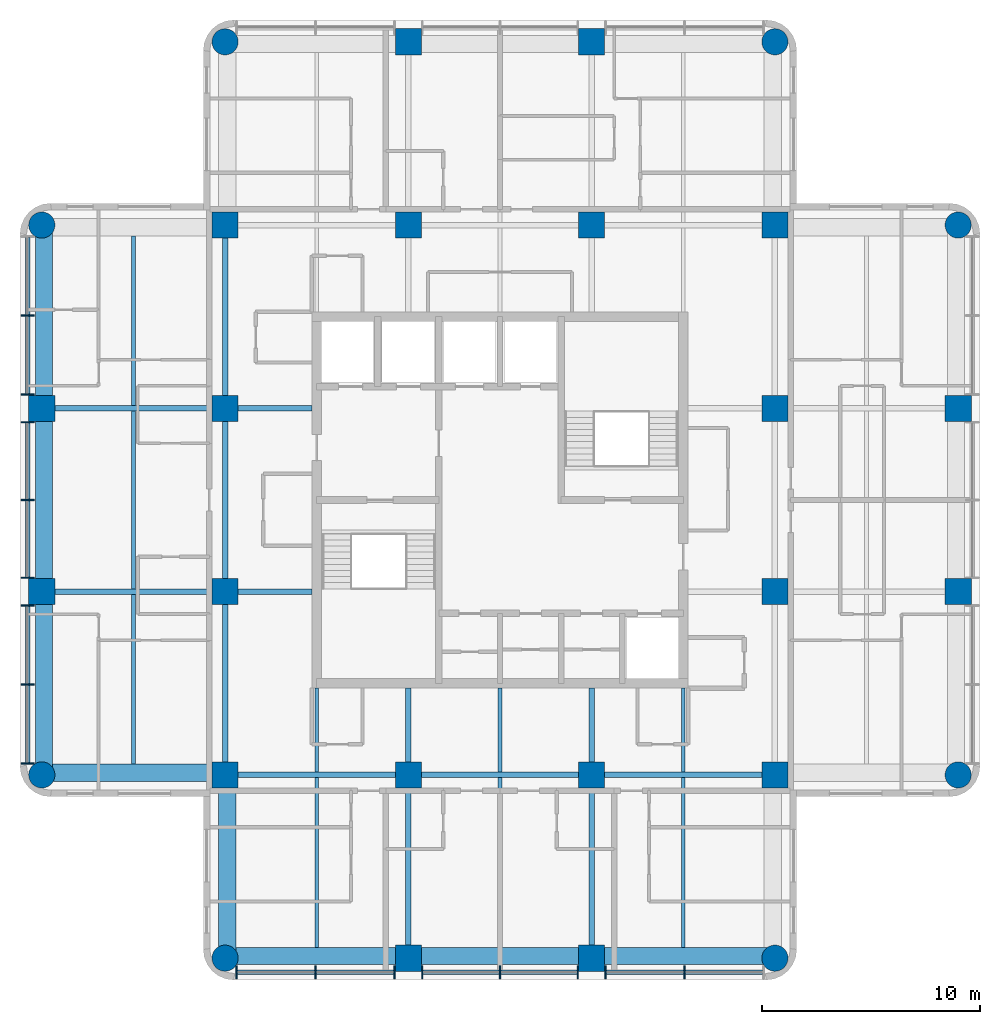
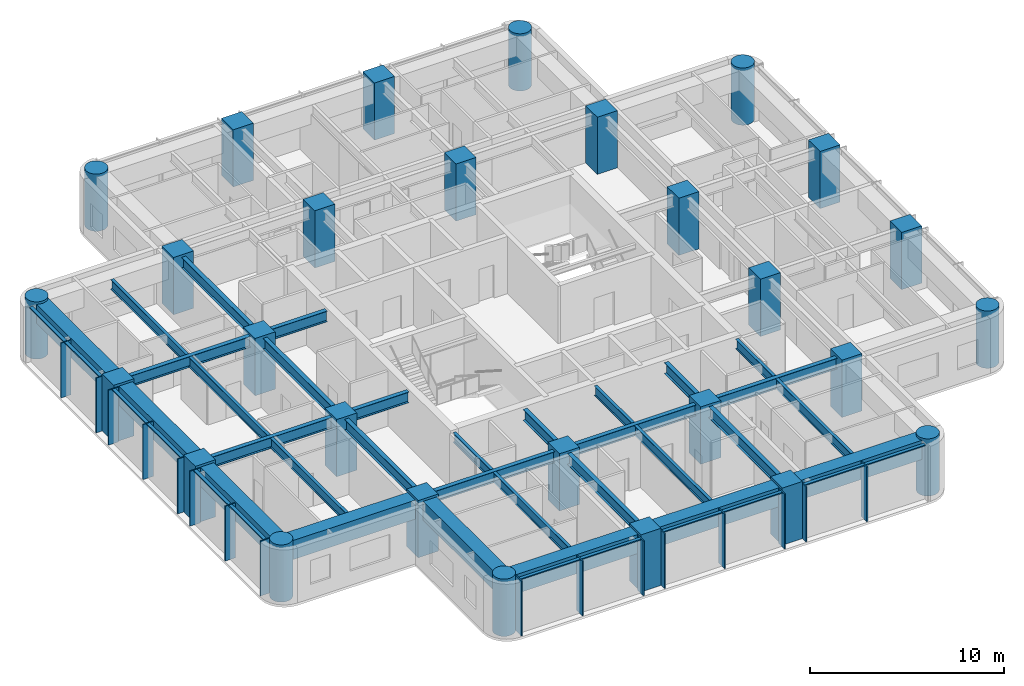
# One storey, part 1 of 10: 31 beams, 28 columns, 28 members, 2 elements without a shape of their own.
"""IFC4 building model written with IfcOpenShell, lengths in metres."""

from ifc_helpers import new_model, si_unit, direction, frame, origin, origin_2d, place, context, subcontext, project, spatial, rectangle, circle, i_section, extrude, material, material_profile, profile_set, type_object, element, aggregate, save


model = new_model("IFC4")

# Units and contexts
model_context = context("Model", 3, precision=1e-05, world=origin(), true_north=direction((0.0, 1.0)))
body_context = subcontext(model_context, "Body", "Model", "MODEL_VIEW")
ifc_project = project(units=[si_unit("LENGTHUNIT", "METRE"), si_unit("AREAUNIT", "SQUARE_METRE"), si_unit("VOLUMEUNIT", "CUBIC_METRE"), si_unit("PLANEANGLEUNIT", "RADIAN"), si_unit("MASSUNIT", "GRAM", prefix="KILO")], contexts=[model_context])

# Site, building, storey
site_placement = place(None, origin())
site = spatial("IfcSite", under=ifc_project, at=site_placement, CompositionType="ELEMENT")
building_placement = place(site_placement, origin())
building = spatial("IfcBuilding", under=site, at=building_placement, Name="Torre Alcanfor", CompositionType="ELEMENT")
storey_placement = place(building_placement, frame((0.0, 0.0, 272.10009765625)))
storey = spatial("IfcBuildingStorey", under=building, at=storey_placement, Name="L71", CompositionType="ELEMENT", Elevation=272.10009765625)

# Columns
ifc_material_1 = material(Name="Concrete f'c 70 MPa", Category="concrete")
ifc_material_profile_1 = material_profile(ifc_material_1, rectangle(XDim=1.199951171875, YDim=1.199951171875, at=origin_2d()), Name="1200x1200")
ifc_profile_set_1 = profile_set([ifc_material_profile_1], Name="Concrete f'c 70 MPa")
column_type_1 = type_object("IfcColumnType", Name="RC column 1200x1200 f'c70", PredefinedType="COLUMN", material=ifc_profile_set_1)
for number, where, z_axis, x_axis, name in (
    (1, (8.39990234375, 25.199951171875, 0.0), (0.0, 0.0, 1.0), (1.0, 0.0, 0.0), "Column 2/F L71"),
    (2, (8.39990234375, 33.60009765625, 0.0), (0.0, 0.0, 1.0), (1.0, 0.0, 0.0), "Column 2/G L71"),
    (3, (16.800048828125, 16.800048828125, 0.0), (0.0, 0.0, 1.0), (1.0, 0.0, 0.0), "Column 3/E L71"),
    (4, (16.800048828125, 25.199951171875, 0.0), (0.0, 0.0, 1.0), (1.0, 0.0, 0.0), "Column 3/F L71"),
    (5, (16.800048828125, 33.60009765625, 0.0), (0.0, 0.0, 1.0), (1.0, 0.0, 0.0), "Column 3/G L71"),
    (6, (16.800048828125, 42.0, 0.0), (0.0, 0.0, 1.0), (1.0, 0.0, 0.0), "Column 3/H L71"),
    (7, (25.199951171875, 8.39990234375, 0.0), (0.0, 0.0, 1.0), (1.0, 0.0, 0.0), "Column 4/D L71"),
    (8, (25.199951171875, 16.800048828125, 0.0), (0.0, 0.0, 1.0), (1.0, 0.0, 0.0), "Column 4/E L71"),
    (9, (25.199951171875, 42.0, 0.0), (0.0, 0.0, 1.0), (1.0, 0.0, 0.0), "Column 4/H L71"),
    (10, (25.199951171875, 50.39990234375, 0.0), (0.0, 0.0, 1.0), (1.0, 0.0, 0.0), "Column 4/J L71"),
    (11, (33.60009765625, 8.39990234375, 0.0), (0.0, 0.0, 1.0), (1.0, 0.0, 0.0), "Column 5/D L71"),
    (12, (33.60009765625, 16.800048828125, 0.0), (0.0, 0.0, 1.0), (1.0, 0.0, 0.0), "Column 5/E L71"),
    (13, (33.60009765625, 42.0, 0.0), (0.0, 0.0, 1.0), (1.0, 0.0, 0.0), "Column 5/H L71"),
    (14, (33.60009765625, 50.39990234375, 0.0), (0.0, 0.0, 1.0), (1.0, 0.0, 0.0), "Column 5/J L71"),
    (15, (42.0, 16.800048828125, 0.0), (0.0, 0.0, 1.0), (1.0, 0.0, 0.0), "Column 6/E L71"),
    (16, (42.0, 25.199951171875, 0.0), (0.0, 0.0, 1.0), (1.0, 0.0, 0.0), "Column 6/F L71"),
    (17, (42.0, 33.60009765625, 0.0), (0.0, 0.0, 1.0), (1.0, 0.0, 0.0), "Column 6/G L71"),
    (18, (42.0, 42.0, 0.0), (0.0, 0.0, 1.0), (1.0, 0.0, 0.0), "Column 6/H L71"),
    (19, (50.39990234375, 25.199951171875, 0.0), (0.0, 0.0, 1.0), (1.0, 0.0, 0.0), "Column 7/F L71"),
    (20, (50.39990234375, 33.60009765625, 0.0), (0.0, 0.0, 1.0), (1.0, 0.0, 0.0), "Column 7/G L71"),
):
    element("IfcColumn", number, at=place(storey_placement, frame(where, z_axis=z_axis, x_axis=x_axis)), inside=storey, type_object=column_type_1, Name=name, PredefinedType="COLUMN", context=body_context, shape_type="SweptSolid", body=[
        extrude(rectangle(XDim=1.199951171875, YDim=1.199951171875, at=origin_2d()), origin(), (0.0, 0.0, 1.0), 3.599853515625),
    ])
ifc_material_2 = material(Name="Concrete f'c 70 MPa", Category="concrete")
ifc_material_profile_2 = material_profile(ifc_material_2, circle(Radius=0.60009765625, at=origin_2d()), Name="D1200")
ifc_profile_set_2 = profile_set([ifc_material_profile_2], Name="Concrete f'c 70 MPa")
column_type_2 = type_object("IfcColumnType", Name="RC column D1200 f'c70", PredefinedType="COLUMN", material=ifc_profile_set_2)
for number, where, z_axis, x_axis, name in (
    (21, (8.39990234375, 16.800048828125, 0.0), (0.0, 0.0, 1.0), (1.0, 0.0, 0.0), "Column 2/E L71"),
    (22, (8.39990234375, 42.0, 0.0), (0.0, 0.0, 1.0), (1.0, 0.0, 0.0), "Column 2/H L71"),
    (23, (16.800048828125, 8.39990234375, 0.0), (0.0, 0.0, 1.0), (1.0, 0.0, 0.0), "Column 3/D L71"),
    (24, (16.800048828125, 50.39990234375, 0.0), (0.0, 0.0, 1.0), (1.0, 0.0, 0.0), "Column 3/J L71"),
    (25, (42.0, 8.39990234375, 0.0), (0.0, 0.0, 1.0), (1.0, 0.0, 0.0), "Column 6/D L71"),
    (26, (42.0, 50.39990234375, 0.0), (0.0, 0.0, 1.0), (1.0, 0.0, 0.0), "Column 6/J L71"),
    (27, (50.39990234375, 16.800048828125, 0.0), (0.0, 0.0, 1.0), (1.0, 0.0, 0.0), "Column 7/E L71"),
    (28, (50.39990234375, 42.0, 0.0), (0.0, 0.0, 1.0), (1.0, 0.0, 0.0), "Column 7/H L71"),
):
    element("IfcColumn", number, at=place(storey_placement, frame(where, z_axis=z_axis, x_axis=x_axis)), inside=storey, type_object=column_type_2, Name=name, PredefinedType="COLUMN", context=body_context, shape_type="SweptSolid", body=[
        extrude(circle(Radius=0.60009765625, at=origin_2d()), origin(), (0.0, 0.0, 1.0), 3.599853515625),
    ])

# Curtain wall, members
ifc_material_3 = material(Name="Aluminium and glass", Category="aluminium")
curtain_wall_type = type_object("IfcCurtainWallType", Name="CW-A unitised apartment glazing with vertical FIN", PredefinedType="NOTDEFINED", material=ifc_material_3)
curtain_wall_1_placement = place(storey_placement, origin())
curtain_wall_1 = element("IfcCurtainWall", 29, at=curtain_wall_1_placement, inside=storey, type_object=curtain_wall_type, Name="Curtain wall CW-A L71 2", PredefinedType="NOTDEFINED")
ifc_material_4 = material(Name="Bronze anodised aluminium", Category="aluminium")
ifc_material_profile_3 = material_profile(ifc_material_4, rectangle(XDim=0.60009765625, YDim=0.06494140625, at=origin_2d()), Name="CW-A mullion 65x600")
ifc_profile_set_3 = profile_set([ifc_material_profile_3], Name="Bronze anodised aluminium")
member_type_1 = type_object("IfcMemberType", Name="CW-A mullion with vertical FIN 65x600", PredefinedType="MULLION", material=ifc_profile_set_3)
member_1_placement = place(storey_placement, frame((7.75, 37.855712890625, 0.0), z_axis=(0.0, 0.0, 1.0), x_axis=(1.0, 0.0, 0.0)))
member_1 = element("IfcMember", 30, at=member_1_placement, type_object=member_type_1, Name="CW-A mullion 1.2", PredefinedType="MULLION", context=body_context, shape_type="SweptSolid", body=[
    extrude(rectangle(XDim=0.60009765625, YDim=0.06494140625, at=origin_2d()), origin(), (0.0, 0.0, 1.0), 3.449951171875),
])
member_2_placement = place(storey_placement, frame((7.75, 34.237548828125, 0.0), z_axis=(0.0, 0.0, 1.0), x_axis=(1.0, 0.0, 0.0)))
member_2 = element("IfcMember", 31, at=member_2_placement, type_object=member_type_1, Name="CW-A mullion 1.3", PredefinedType="MULLION", context=body_context, shape_type="SweptSolid", body=[
    extrude(rectangle(XDim=0.60009765625, YDim=0.06494140625, at=origin_2d()), origin(), (0.0, 0.0, 1.0), 3.449951171875),
])
member_3_placement = place(storey_placement, frame((7.75, 32.96240234375, 0.0), z_axis=(0.0, 0.0, 1.0), x_axis=(1.0, 0.0, 0.0)))
member_3 = element("IfcMember", 32, at=member_3_placement, type_object=member_type_1, Name="CW-A mullion 2.1", PredefinedType="MULLION", context=body_context, shape_type="SweptSolid", body=[
    extrude(rectangle(XDim=0.60009765625, YDim=0.06494140625, at=origin_2d()), origin(), (0.0, 0.0, 1.0), 3.449951171875),
])
member_4_placement = place(storey_placement, frame((7.75, 29.39990234375, 0.0), z_axis=(0.0, 0.0, 1.0), x_axis=(1.0, 0.0, 0.0)))
member_4 = element("IfcMember", 33, at=member_4_placement, type_object=member_type_1, Name="CW-A mullion 2.2", PredefinedType="MULLION", context=body_context, shape_type="SweptSolid", body=[
    extrude(rectangle(XDim=0.60009765625, YDim=0.06494140625, at=origin_2d()), origin(), (0.0, 0.0, 1.0), 3.449951171875),
])
member_5_placement = place(storey_placement, frame((7.75, 25.83740234375, 0.0), z_axis=(0.0, 0.0, 1.0), x_axis=(1.0, 0.0, 0.0)))
member_5 = element("IfcMember", 34, at=member_5_placement, type_object=member_type_1, Name="CW-A mullion 2.3", PredefinedType="MULLION", context=body_context, shape_type="SweptSolid", body=[
    extrude(rectangle(XDim=0.60009765625, YDim=0.06494140625, at=origin_2d()), origin(), (0.0, 0.0, 1.0), 3.449951171875),
])
member_6_placement = place(storey_placement, frame((7.75, 24.5625, 0.0), z_axis=(0.0, 0.0, 1.0), x_axis=(1.0, 0.0, 0.0)))
member_6 = element("IfcMember", 35, at=member_6_placement, type_object=member_type_1, Name="CW-A mullion 3.1", PredefinedType="MULLION", context=body_context, shape_type="SweptSolid", body=[
    extrude(rectangle(XDim=0.60009765625, YDim=0.06494140625, at=origin_2d()), origin(), (0.0, 0.0, 1.0), 3.449951171875),
])
member_7_placement = place(storey_placement, frame((7.75, 20.9443359375, 0.0), z_axis=(0.0, 0.0, 1.0), x_axis=(1.0, 0.0, 0.0)))
member_7 = element("IfcMember", 36, at=member_7_placement, type_object=member_type_1, Name="CW-A mullion 3.2", PredefinedType="MULLION", context=body_context, shape_type="SweptSolid", body=[
    extrude(rectangle(XDim=0.60009765625, YDim=0.06494140625, at=origin_2d()), origin(), (0.0, 0.0, 1.0), 3.449951171875),
])
member_8_placement = place(storey_placement, frame((7.75, 17.325927734375, 0.0), z_axis=(0.0, 0.0, 1.0), x_axis=(1.0, 0.0, 0.0)))
member_8 = element("IfcMember", 37, at=member_8_placement, type_object=member_type_1, Name="CW-A mullion 3.3", PredefinedType="MULLION", context=body_context, shape_type="SweptSolid", body=[
    extrude(rectangle(XDim=0.60009765625, YDim=0.06494140625, at=origin_2d()), origin(), (0.0, 0.0, 1.0), 3.449951171875),
])

curtain_wall_2_placement = place(storey_placement, origin())
curtain_wall_2 = element("IfcCurtainWall", 38, at=curtain_wall_2_placement, inside=storey, type_object=curtain_wall_type, Name="Curtain wall CW-A L71 5", PredefinedType="NOTDEFINED")
member_9_placement = place(storey_placement, frame((17.325927734375, 7.75, 0.0), z_axis=(0.0, 0.0, 1.0), x_axis=(0.0, 1.0, 0.0)))
member_9 = element("IfcMember", 39, at=member_9_placement, type_object=member_type_1, Name="CW-A mullion 1.1", PredefinedType="MULLION", context=body_context, shape_type="SweptSolid", body=[
    extrude(rectangle(XDim=0.60009765625, YDim=0.06494140625, at=origin_2d()), origin(), (0.0, 0.0, 1.0), 3.449951171875),
])
member_10_placement = place(storey_placement, frame((20.9443359375, 7.75, 0.0), z_axis=(0.0, 0.0, 1.0), x_axis=(0.0, 1.0, 0.0)))
member_10 = element("IfcMember", 40, at=member_10_placement, type_object=member_type_1, Name="CW-A mullion 1.2", PredefinedType="MULLION", context=body_context, shape_type="SweptSolid", body=[
    extrude(rectangle(XDim=0.60009765625, YDim=0.06494140625, at=origin_2d()), origin(), (0.0, 0.0, 1.0), 3.449951171875),
])
member_11_placement = place(storey_placement, frame((24.5625, 7.75, 0.0), z_axis=(0.0, 0.0, 1.0), x_axis=(0.0, 1.0, 0.0)))
member_11 = element("IfcMember", 41, at=member_11_placement, type_object=member_type_1, Name="CW-A mullion 1.3", PredefinedType="MULLION", context=body_context, shape_type="SweptSolid", body=[
    extrude(rectangle(XDim=0.60009765625, YDim=0.06494140625, at=origin_2d()), origin(), (0.0, 0.0, 1.0), 3.449951171875),
])
member_12_placement = place(storey_placement, frame((25.83740234375, 7.75, 0.0), z_axis=(0.0, 0.0, 1.0), x_axis=(0.0, 1.0, 0.0)))
member_12 = element("IfcMember", 42, at=member_12_placement, type_object=member_type_1, Name="CW-A mullion 2.1", PredefinedType="MULLION", context=body_context, shape_type="SweptSolid", body=[
    extrude(rectangle(XDim=0.60009765625, YDim=0.06494140625, at=origin_2d()), origin(), (0.0, 0.0, 1.0), 3.449951171875),
])
member_13_placement = place(storey_placement, frame((29.39990234375, 7.75, 0.0), z_axis=(0.0, 0.0, 1.0), x_axis=(0.0, 1.0, 0.0)))
member_13 = element("IfcMember", 43, at=member_13_placement, type_object=member_type_1, Name="CW-A mullion 2.2", PredefinedType="MULLION", context=body_context, shape_type="SweptSolid", body=[
    extrude(rectangle(XDim=0.60009765625, YDim=0.06494140625, at=origin_2d()), origin(), (0.0, 0.0, 1.0), 3.449951171875),
])
member_14_placement = place(storey_placement, frame((32.96240234375, 7.75, 0.0), z_axis=(0.0, 0.0, 1.0), x_axis=(0.0, 1.0, 0.0)))
member_14 = element("IfcMember", 44, at=member_14_placement, type_object=member_type_1, Name="CW-A mullion 2.3", PredefinedType="MULLION", context=body_context, shape_type="SweptSolid", body=[
    extrude(rectangle(XDim=0.60009765625, YDim=0.06494140625, at=origin_2d()), origin(), (0.0, 0.0, 1.0), 3.449951171875),
])
member_15_placement = place(storey_placement, frame((34.237548828125, 7.75, 0.0), z_axis=(0.0, 0.0, 1.0), x_axis=(0.0, 1.0, 0.0)))
member_15 = element("IfcMember", 45, at=member_15_placement, type_object=member_type_1, Name="CW-A mullion 3.1", PredefinedType="MULLION", context=body_context, shape_type="SweptSolid", body=[
    extrude(rectangle(XDim=0.60009765625, YDim=0.06494140625, at=origin_2d()), origin(), (0.0, 0.0, 1.0), 3.449951171875),
])
member_16_placement = place(storey_placement, frame((37.855712890625, 7.75, 0.0), z_axis=(0.0, 0.0, 1.0), x_axis=(0.0, 1.0, 0.0)))
member_16 = element("IfcMember", 46, at=member_16_placement, type_object=member_type_1, Name="CW-A mullion 3.2", PredefinedType="MULLION", context=body_context, shape_type="SweptSolid", body=[
    extrude(rectangle(XDim=0.60009765625, YDim=0.06494140625, at=origin_2d()), origin(), (0.0, 0.0, 1.0), 3.449951171875),
])

# Member
ifc_material_5 = material(Name="Extruded aluminium", Category="aluminium")
ifc_material_profile_4 = material_profile(ifc_material_5, rectangle(XDim=0.199951171875, YDim=0.06494140625, at=origin_2d()), Name="CW-A transom 200x65")
ifc_profile_set_4 = profile_set([ifc_material_profile_4], Name="Extruded aluminium")
member_type_2 = type_object("IfcMemberType", Name="CW-A transom 65x200", PredefinedType="USERDEFINED", material=ifc_profile_set_4)
member_17_placement = place(storey_placement, frame((7.75, 41.44140625, 3.41748046875), z_axis=(0.0, -1.0, 0.0), x_axis=(1.0, 0.0, 0.0)))
member_17 = element("IfcMember", 47, at=member_17_placement, type_object=member_type_2, Name="CW-A transom 1.1.2", ObjectType="TRANSOM", PredefinedType="USERDEFINED", context=body_context, shape_type="SweptSolid", body=[
    extrude(rectangle(XDim=0.199951171875, YDim=0.06494140625, at=origin_2d()), origin(), (0.0, 0.0, 1.0), 3.55322265625),
])

member_18_placement = place(storey_placement, frame((7.75, 37.8232421875, 3.41748046875), z_axis=(0.0, -1.0, 0.0), x_axis=(1.0, 0.0, 0.0)))
member_18 = element("IfcMember", 48, at=member_18_placement, type_object=member_type_2, Name="CW-A transom 1.2.2", ObjectType="TRANSOM", PredefinedType="USERDEFINED", context=body_context, shape_type="SweptSolid", body=[
    extrude(rectangle(XDim=0.199951171875, YDim=0.06494140625, at=origin_2d()), origin(), (0.0, 0.0, 1.0), 3.55322265625),
])

member_19_placement = place(storey_placement, frame((7.75, 32.929931640625, 3.41748046875), z_axis=(0.0, -1.0, 0.0), x_axis=(1.0, 0.0, 0.0)))
member_19 = element("IfcMember", 49, at=member_19_placement, type_object=member_type_2, Name="CW-A transom 2.1.2", ObjectType="TRANSOM", PredefinedType="USERDEFINED", context=body_context, shape_type="SweptSolid", body=[
    extrude(rectangle(XDim=0.199951171875, YDim=0.06494140625, at=origin_2d()), origin(), (0.0, 0.0, 1.0), 3.497314453125),
])

member_20_placement = place(storey_placement, frame((7.75, 29.367431640625, 3.41748046875), z_axis=(0.0, -1.0, 0.0), x_axis=(1.0, 0.0, 0.0)))
member_20 = element("IfcMember", 50, at=member_20_placement, type_object=member_type_2, Name="CW-A transom 2.2.2", ObjectType="TRANSOM", PredefinedType="USERDEFINED", context=body_context, shape_type="SweptSolid", body=[
    extrude(rectangle(XDim=0.199951171875, YDim=0.06494140625, at=origin_2d()), origin(), (0.0, 0.0, 1.0), 3.497314453125),
])

member_21_placement = place(storey_placement, frame((7.75, 24.530029296875, 3.41748046875), z_axis=(0.0, -1.0, 0.0), x_axis=(1.0, 0.0, 0.0)))
member_21 = element("IfcMember", 51, at=member_21_placement, type_object=member_type_2, Name="CW-A transom 3.1.2", ObjectType="TRANSOM", PredefinedType="USERDEFINED", context=body_context, shape_type="SweptSolid", body=[
    extrude(rectangle(XDim=0.199951171875, YDim=0.06494140625, at=origin_2d()), origin(), (0.0, 0.0, 1.0), 3.55322265625),
])

member_22_placement = place(storey_placement, frame((7.75, 20.911865234375, 3.41748046875), z_axis=(0.0, -1.0, 0.0), x_axis=(1.0, 0.0, 0.0)))
member_22 = element("IfcMember", 52, at=member_22_placement, type_object=member_type_2, Name="CW-A transom 3.2.2", ObjectType="TRANSOM", PredefinedType="USERDEFINED", context=body_context, shape_type="SweptSolid", body=[
    extrude(rectangle(XDim=0.199951171875, YDim=0.06494140625, at=origin_2d()), origin(), (0.0, 0.0, 1.0), 3.553466796875),
])

aggregate(curtain_wall_1, [member_1, member_2, member_17, member_18, member_3, member_4, member_5, member_19, member_20, member_6, member_7, member_8, member_21, member_22])

member_23_placement = place(storey_placement, frame((17.3583984375, 7.75, 3.41748046875), z_axis=(1.0, 0.0, 0.0), x_axis=(0.0, 1.0, 0.0)))
member_23 = element("IfcMember", 53, at=member_23_placement, type_object=member_type_2, Name="CW-A transom 1.1.2", ObjectType="TRANSOM", PredefinedType="USERDEFINED", context=body_context, shape_type="SweptSolid", body=[
    extrude(rectangle(XDim=0.199951171875, YDim=0.06494140625, at=origin_2d()), origin(), (0.0, 0.0, 1.0), 3.553466796875),
])

member_24_placement = place(storey_placement, frame((20.976806640625, 7.75, 3.41748046875), z_axis=(1.0, 0.0, 0.0), x_axis=(0.0, 1.0, 0.0)))
member_24 = element("IfcMember", 54, at=member_24_placement, type_object=member_type_2, Name="CW-A transom 1.2.2", ObjectType="TRANSOM", PredefinedType="USERDEFINED", context=body_context, shape_type="SweptSolid", body=[
    extrude(rectangle(XDim=0.199951171875, YDim=0.06494140625, at=origin_2d()), origin(), (0.0, 0.0, 1.0), 3.55322265625),
])

member_25_placement = place(storey_placement, frame((25.8701171875, 7.75, 3.41748046875), z_axis=(1.0, 0.0, 0.0), x_axis=(0.0, 1.0, 0.0)))
member_25 = element("IfcMember", 55, at=member_25_placement, type_object=member_type_2, Name="CW-A transom 2.1.2", ObjectType="TRANSOM", PredefinedType="USERDEFINED", context=body_context, shape_type="SweptSolid", body=[
    extrude(rectangle(XDim=0.199951171875, YDim=0.06494140625, at=origin_2d()), origin(), (0.0, 0.0, 1.0), 3.497314453125),
])

member_26_placement = place(storey_placement, frame((29.4326171875, 7.75, 3.41748046875), z_axis=(1.0, 0.0, 0.0), x_axis=(0.0, 1.0, 0.0)))
member_26 = element("IfcMember", 56, at=member_26_placement, type_object=member_type_2, Name="CW-A transom 2.2.2", ObjectType="TRANSOM", PredefinedType="USERDEFINED", context=body_context, shape_type="SweptSolid", body=[
    extrude(rectangle(XDim=0.199951171875, YDim=0.06494140625, at=origin_2d()), origin(), (0.0, 0.0, 1.0), 3.497314453125),
])

member_27_placement = place(storey_placement, frame((34.27001953125, 7.75, 3.41748046875), z_axis=(1.0, 0.0, 0.0), x_axis=(0.0, 1.0, 0.0)))
member_27 = element("IfcMember", 57, at=member_27_placement, type_object=member_type_2, Name="CW-A transom 3.1.2", ObjectType="TRANSOM", PredefinedType="USERDEFINED", context=body_context, shape_type="SweptSolid", body=[
    extrude(rectangle(XDim=0.199951171875, YDim=0.06494140625, at=origin_2d()), origin(), (0.0, 0.0, 1.0), 3.55322265625),
])

member_28_placement = place(storey_placement, frame((37.88818359375, 7.75, 3.41748046875), z_axis=(1.0, 0.0, 0.0), x_axis=(0.0, 1.0, 0.0)))
member_28 = element("IfcMember", 58, at=member_28_placement, type_object=member_type_2, Name="CW-A transom 3.2.2", ObjectType="TRANSOM", PredefinedType="USERDEFINED", context=body_context, shape_type="SweptSolid", body=[
    extrude(rectangle(XDim=0.199951171875, YDim=0.06494140625, at=origin_2d()), origin(), (0.0, 0.0, 1.0), 3.55322265625),
])

aggregate(curtain_wall_2, [member_9, member_10, member_11, member_23, member_24, member_12, member_13, member_14, member_25, member_26, member_15, member_16, member_27, member_28])

# Beams
ifc_material_6 = material(Name="Steel ASTM A992 Grade 50", Category="steel")
ifc_material_profile_5 = material_profile(ifc_material_6, i_section(OverallWidth=0.25390625, OverallDepth=0.683349609375, WebThickness=0.012451171875, FlangeThickness=0.01904296875, at=origin_2d()), Name="W27x94")
ifc_profile_set_5 = profile_set([ifc_material_profile_5], Name="Steel ASTM A992 Grade 50")
beam_type_1 = type_object("IfcBeamType", Name="Girder W27x94", PredefinedType="BEAM", material=ifc_profile_set_5)
beam_1_placement = place(storey_placement, frame((16.800048828125, 16.800048828125, 3.108154296875), z_axis=(1.0, 0.0, 0.0), x_axis=(0.0, 1.0, 0.0)))
element("IfcBeam", 59, at=beam_1_placement, inside=storey, type_object=beam_type_1, Name="Beam 3E-4E under L72", PredefinedType="BEAM", context=body_context, shape_type="SweptSolid", body=[
    extrude(i_section(OverallWidth=0.25390625, OverallDepth=0.683349609375, WebThickness=0.012451171875, FlangeThickness=0.01904296875, at=origin_2d()), origin(), (0.0, 0.0, 1.0), 8.39990234375),
])
beam_2_placement = place(storey_placement, frame((25.199951171875, 16.800048828125, 3.108154296875), z_axis=(1.0, 0.0, 0.0), x_axis=(0.0, 1.0, 0.0)))
element("IfcBeam", 60, at=beam_2_placement, inside=storey, type_object=beam_type_1, Name="Beam 4E-5E under L72", PredefinedType="BEAM", context=body_context, shape_type="SweptSolid", body=[
    extrude(i_section(OverallWidth=0.25390625, OverallDepth=0.683349609375, WebThickness=0.012451171875, FlangeThickness=0.01904296875, at=origin_2d()), origin(), (0.0, 0.0, 1.0), 8.400146484375),
])
beam_3_placement = place(storey_placement, frame((33.60009765625, 16.800048828125, 3.108154296875), z_axis=(1.0, 0.0, 0.0), x_axis=(0.0, 1.0, 0.0)))
element("IfcBeam", 61, at=beam_3_placement, inside=storey, type_object=beam_type_1, Name="Beam 5E-6E under L72", PredefinedType="BEAM", context=body_context, shape_type="SweptSolid", body=[
    extrude(i_section(OverallWidth=0.25390625, OverallDepth=0.683349609375, WebThickness=0.012451171875, FlangeThickness=0.01904296875, at=origin_2d()), origin(), (0.0, 0.0, 1.0), 8.39990234375),
])
for number, where, z_axis, x_axis, name in (
    (62, (8.39990234375, 25.199951171875, 3.108154296875), (1.0, 0.0, 0.0), (0.0, 1.0, 0.0), "Beam 2F-3F under L72"),
    (63, (8.39990234375, 33.60009765625, 3.108154296875), (1.0, 0.0, 0.0), (0.0, 1.0, 0.0), "Beam 2G-3G under L72"),
):
    element("IfcBeam", number, at=place(storey_placement, frame(where, z_axis=z_axis, x_axis=x_axis)), inside=storey, type_object=beam_type_1, Name=name, PredefinedType="BEAM", context=body_context, shape_type="SweptSolid", body=[
        extrude(i_section(OverallWidth=0.25390625, OverallDepth=0.683349609375, WebThickness=0.012451171875, FlangeThickness=0.01904296875, at=origin_2d()), origin(), (0.0, 0.0, 1.0), 8.400146484375),
    ])
beam_4_placement = place(storey_placement, frame((16.800048828125, 16.800048828125, 3.108154296875), z_axis=(0.0, 1.0, 0.0), x_axis=(-1.0, 0.0, 0.0)))
element("IfcBeam", 64, at=beam_4_placement, inside=storey, type_object=beam_type_1, Name="Beam 3E-3F under L72", PredefinedType="BEAM", context=body_context, shape_type="SweptSolid", body=[
    extrude(i_section(OverallWidth=0.25390625, OverallDepth=0.683349609375, WebThickness=0.012451171875, FlangeThickness=0.01904296875, at=origin_2d()), origin(), (0.0, 0.0, 1.0), 8.39990234375),
])
beam_5_placement = place(storey_placement, frame((16.800048828125, 25.199951171875, 3.108154296875), z_axis=(0.0, 1.0, 0.0), x_axis=(-1.0, 0.0, 0.0)))
element("IfcBeam", 65, at=beam_5_placement, inside=storey, type_object=beam_type_1, Name="Beam 3F-3G under L72", PredefinedType="BEAM", context=body_context, shape_type="SweptSolid", body=[
    extrude(i_section(OverallWidth=0.25390625, OverallDepth=0.683349609375, WebThickness=0.012451171875, FlangeThickness=0.01904296875, at=origin_2d()), origin(), (0.0, 0.0, 1.0), 8.400146484375),
])
beam_6_placement = place(storey_placement, frame((16.800048828125, 33.60009765625, 3.108154296875), z_axis=(0.0, 1.0, 0.0), x_axis=(-1.0, 0.0, 0.0)))
element("IfcBeam", 66, at=beam_6_placement, inside=storey, type_object=beam_type_1, Name="Beam 3G-3H under L72", PredefinedType="BEAM", context=body_context, shape_type="SweptSolid", body=[
    extrude(i_section(OverallWidth=0.25390625, OverallDepth=0.683349609375, WebThickness=0.012451171875, FlangeThickness=0.01904296875, at=origin_2d()), origin(), (0.0, 0.0, 1.0), 8.39990234375),
])
for number, where, z_axis, x_axis, name in (
    (67, (25.199951171875, 8.39990234375, 3.108154296875), (0.0, 1.0, 0.0), (-1.0, 0.0, 0.0), "Beam 4D-4E under L72"),
    (68, (33.60009765625, 8.39990234375, 3.108154296875), (0.0, 1.0, 0.0), (-1.0, 0.0, 0.0), "Beam 5D-5E under L72"),
):
    element("IfcBeam", number, at=place(storey_placement, frame(where, z_axis=z_axis, x_axis=x_axis)), inside=storey, type_object=beam_type_1, Name=name, PredefinedType="BEAM", context=body_context, shape_type="SweptSolid", body=[
        extrude(i_section(OverallWidth=0.25390625, OverallDepth=0.683349609375, WebThickness=0.012451171875, FlangeThickness=0.01904296875, at=origin_2d()), origin(), (0.0, 0.0, 1.0), 8.400146484375),
    ])
ifc_material_7 = material(Name="Steel ASTM A992 Grade 50", Category="steel")
ifc_material_profile_6 = material_profile(ifc_material_7, i_section(OverallWidth=0.25390625, OverallDepth=0.683349609375, WebThickness=0.012451171875, FlangeThickness=0.01904296875, at=origin_2d()), Name="W27x94")
ifc_profile_set_6 = profile_set([ifc_material_profile_6], Name="Steel ASTM A992 Grade 50")
beam_type_2 = type_object("IfcBeamType", Name="Girder, part bay W27x94", PredefinedType="BEAM", material=ifc_profile_set_6)
for number, where, z_axis, x_axis, name in (
    (69, (25.199951171875, 16.800048828125, 3.108154296875), (0.0, 1.0, 0.0), (-1.0, 0.0, 0.0), "Beam 4E-420_775 under L72"),
    (70, (33.60009765625, 16.800048828125, 3.108154296875), (0.0, 1.0, 0.0), (-1.0, 0.0, 0.0), "Beam 5E-520_775 under L72"),
    (71, (16.800048828125, 25.199951171875, 3.108154296875), (1.0, 0.0, 0.0), (0.0, 1.0, 0.0), "Beam 3F-20_775F under L72"),
    (72, (16.800048828125, 33.60009765625, 3.108154296875), (1.0, 0.0, 0.0), (0.0, 1.0, 0.0), "Beam 3G-20_775G under L72"),
):
    element("IfcBeam", number, at=place(storey_placement, frame(where, z_axis=z_axis, x_axis=x_axis)), inside=storey, type_object=beam_type_2, Name=name, PredefinedType="BEAM", context=body_context, shape_type="SweptSolid", body=[
        extrude(i_section(OverallWidth=0.25390625, OverallDepth=0.683349609375, WebThickness=0.012451171875, FlangeThickness=0.01904296875, at=origin_2d()), origin(), (0.0, 0.0, 1.0), 3.974853515625),
    ])
ifc_material_8 = material(Name="Concrete f'c 70 MPa", Category="concrete")
ifc_material_profile_7 = material_profile(ifc_material_8, rectangle(XDim=0.800048828125, YDim=1.199951171875, at=origin_2d()), Name="800x1200")
ifc_profile_set_7 = profile_set([ifc_material_profile_7], Name="Concrete f'c 70 MPa")
beam_type_3 = type_object("IfcBeamType", Name="RC perimeter beam 800x1200", PredefinedType="BEAM", material=ifc_profile_set_7)
beam_7_placement = place(storey_placement, frame((16.800048828125, 8.5, 2.849853515625), z_axis=(1.0, 0.0, 0.0), x_axis=(0.0, 1.0, 0.0)))
element("IfcBeam", 73, at=beam_7_placement, inside=storey, type_object=beam_type_3, Name="Beam 3D-4D under L72", PredefinedType="BEAM", context=body_context, shape_type="SweptSolid", body=[
    extrude(rectangle(XDim=0.800048828125, YDim=1.199951171875, at=origin_2d()), origin(), (0.0, 0.0, 1.0), 8.27294921875),
])
beam_8_placement = place(storey_placement, frame((25.326904296875, 8.5, 2.849853515625), z_axis=(1.0, 0.0, 0.0), x_axis=(0.0, 1.0, 0.0)))
element("IfcBeam", 74, at=beam_8_placement, inside=storey, type_object=beam_type_3, Name="Beam 4D-5D under L72", PredefinedType="BEAM", context=body_context, shape_type="SweptSolid", body=[
    extrude(rectangle(XDim=0.800048828125, YDim=1.199951171875, at=origin_2d()), origin(), (0.0, 0.0, 1.0), 8.14599609375),
])
beam_9_placement = place(storey_placement, frame((33.72705078125, 8.5, 2.849853515625), z_axis=(1.0, 0.0, 0.0), x_axis=(0.0, 1.0, 0.0)))
element("IfcBeam", 75, at=beam_9_placement, inside=storey, type_object=beam_type_3, Name="Beam 5D-6D under L72", PredefinedType="BEAM", context=body_context, shape_type="SweptSolid", body=[
    extrude(rectangle(XDim=0.800048828125, YDim=1.199951171875, at=origin_2d()), origin(), (0.0, 0.0, 1.0), 8.27294921875),
])
beam_10_placement = place(storey_placement, frame((8.39990234375, 16.89990234375, 2.849853515625), z_axis=(1.0, 0.0, 0.0), x_axis=(0.0, 1.0, 0.0)))
element("IfcBeam", 76, at=beam_10_placement, inside=storey, type_object=beam_type_3, Name="Beam 2E-3E under L72", PredefinedType="BEAM", context=body_context, shape_type="SweptSolid", body=[
    extrude(rectangle(XDim=0.800048828125, YDim=1.199951171875, at=origin_2d()), origin(), (0.0, 0.0, 1.0), 8.273193359375),
])
beam_11_placement = place(storey_placement, frame((8.5, 16.800048828125, 2.849853515625), z_axis=(0.0, 1.0, 0.0), x_axis=(-1.0, 0.0, 0.0)))
element("IfcBeam", 77, at=beam_11_placement, inside=storey, type_object=beam_type_3, Name="Beam 2E-2F under L72", PredefinedType="BEAM", context=body_context, shape_type="SweptSolid", body=[
    extrude(rectangle(XDim=0.800048828125, YDim=1.199951171875, at=origin_2d()), origin(), (0.0, 0.0, 1.0), 8.27294921875),
])
beam_12_placement = place(storey_placement, frame((8.5, 25.326904296875, 2.849853515625), z_axis=(0.0, 1.0, 0.0), x_axis=(-1.0, 0.0, 0.0)))
element("IfcBeam", 78, at=beam_12_placement, inside=storey, type_object=beam_type_3, Name="Beam 2F-2G under L72", PredefinedType="BEAM", context=body_context, shape_type="SweptSolid", body=[
    extrude(rectangle(XDim=0.800048828125, YDim=1.199951171875, at=origin_2d()), origin(), (0.0, 0.0, 1.0), 8.14599609375),
])
beam_13_placement = place(storey_placement, frame((8.5, 33.72705078125, 2.849853515625), z_axis=(0.0, 1.0, 0.0), x_axis=(-1.0, 0.0, 0.0)))
element("IfcBeam", 79, at=beam_13_placement, inside=storey, type_object=beam_type_3, Name="Beam 2G-2H under L72", PredefinedType="BEAM", context=body_context, shape_type="SweptSolid", body=[
    extrude(rectangle(XDim=0.800048828125, YDim=1.199951171875, at=origin_2d()), origin(), (0.0, 0.0, 1.0), 8.27294921875),
])
beam_14_placement = place(storey_placement, frame((16.89990234375, 8.39990234375, 2.849853515625), z_axis=(0.0, 1.0, 0.0), x_axis=(-1.0, 0.0, 0.0)))
element("IfcBeam", 80, at=beam_14_placement, inside=storey, type_object=beam_type_3, Name="Beam 3D-3E under L72", PredefinedType="BEAM", context=body_context, shape_type="SweptSolid", body=[
    extrude(rectangle(XDim=0.800048828125, YDim=1.199951171875, at=origin_2d()), origin(), (0.0, 0.0, 1.0), 8.273193359375),
])
ifc_material_9 = material(Name="Steel ASTM A992 Grade 50", Category="steel")
ifc_material_profile_8 = material_profile(ifc_material_9, i_section(OverallWidth=0.1787109375, OverallDepth=0.60205078125, WebThickness=0.010986328125, FlangeThickness=0.014892578125, at=origin_2d()), Name="W24x62")
ifc_profile_set_8 = profile_set([ifc_material_profile_8], Name="Steel ASTM A992 Grade 50")
beam_type_4 = type_object("IfcBeamType", Name="Secondary beam W24x62", PredefinedType="BEAM", material=ifc_profile_set_8)
beam_15_placement = place(storey_placement, frame((12.60009765625, 17.300048828125, 3.14892578125), z_axis=(0.0, 1.0, 0.0), x_axis=(-1.0, 0.0, 0.0)))
element("IfcBeam", 81, at=beam_15_placement, inside=storey, type_object=beam_type_4, Name="Beam 12_6E-12_6F under L72", PredefinedType="BEAM", context=body_context, shape_type="SweptSolid", body=[
    extrude(i_section(OverallWidth=0.1787109375, OverallDepth=0.60205078125, WebThickness=0.010986328125, FlangeThickness=0.014892578125, at=origin_2d()), origin(), (0.0, 0.0, 1.0), 7.77294921875),
])
beam_16_placement = place(storey_placement, frame((12.60009765625, 25.326904296875, 3.14892578125), z_axis=(0.0, 1.0, 0.0), x_axis=(-1.0, 0.0, 0.0)))
element("IfcBeam", 82, at=beam_16_placement, inside=storey, type_object=beam_type_4, Name="Beam 12_6F-12_6G under L72", PredefinedType="BEAM", context=body_context, shape_type="SweptSolid", body=[
    extrude(i_section(OverallWidth=0.1787109375, OverallDepth=0.60205078125, WebThickness=0.010986328125, FlangeThickness=0.014892578125, at=origin_2d()), origin(), (0.0, 0.0, 1.0), 8.14599609375),
])
beam_17_placement = place(storey_placement, frame((12.60009765625, 33.72705078125, 3.14892578125), z_axis=(0.0, 1.0, 0.0), x_axis=(-1.0, 0.0, 0.0)))
element("IfcBeam", 83, at=beam_17_placement, inside=storey, type_object=beam_type_4, Name="Beam 12_6G-12_6H under L72", PredefinedType="BEAM", context=body_context, shape_type="SweptSolid", body=[
    extrude(i_section(OverallWidth=0.1787109375, OverallDepth=0.60205078125, WebThickness=0.010986328125, FlangeThickness=0.014892578125, at=origin_2d()), origin(), (0.0, 0.0, 1.0), 7.77294921875),
])
for number, where, z_axis, x_axis, name in (
    (84, (21.0, 8.89990234375, 3.14892578125), (0.0, 1.0, 0.0), (-1.0, 0.0, 0.0), "Beam 21D-21E under L72"),
    (85, (29.39990234375, 8.89990234375, 3.14892578125), (0.0, 1.0, 0.0), (-1.0, 0.0, 0.0), "Beam 29_4D-29_4E under L72"),
    (86, (37.800048828125, 8.89990234375, 3.14892578125), (0.0, 1.0, 0.0), (-1.0, 0.0, 0.0), "Beam 37_8D-37_8E under L72"),
):
    element("IfcBeam", number, at=place(storey_placement, frame(where, z_axis=z_axis, x_axis=x_axis)), inside=storey, type_object=beam_type_4, Name=name, PredefinedType="BEAM", context=body_context, shape_type="SweptSolid", body=[
        extrude(i_section(OverallWidth=0.1787109375, OverallDepth=0.60205078125, WebThickness=0.010986328125, FlangeThickness=0.014892578125, at=origin_2d()), origin(), (0.0, 0.0, 1.0), 7.773193359375),
    ])
ifc_material_10 = material(Name="Steel ASTM A992 Grade 50", Category="steel")
ifc_material_profile_9 = material_profile(ifc_material_10, i_section(OverallWidth=0.1787109375, OverallDepth=0.60205078125, WebThickness=0.010986328125, FlangeThickness=0.014892578125, at=origin_2d()), Name="W24x62")
ifc_profile_set_9 = profile_set([ifc_material_profile_9], Name="Steel ASTM A992 Grade 50")
beam_type_5 = type_object("IfcBeamType", Name="Secondary beam, part bay W24x62", PredefinedType="BEAM", material=ifc_profile_set_9)
for number, where, z_axis, x_axis, name in (
    (87, (21.0, 16.927001953125, 3.14892578125), (0.0, 1.0, 0.0), (-1.0, 0.0, 0.0), "Beam 21E-2120_775 under L72"),
    (88, (29.39990234375, 16.927001953125, 3.14892578125), (0.0, 1.0, 0.0), (-1.0, 0.0, 0.0), "Beam 29_4E-29_420_775 under L72"),
    (89, (37.800048828125, 16.927001953125, 3.14892578125), (0.0, 1.0, 0.0), (-1.0, 0.0, 0.0), "Beam 37_8E-37_820_775 under L72"),
):
    element("IfcBeam", number, at=place(storey_placement, frame(where, z_axis=z_axis, x_axis=x_axis)), inside=storey, type_object=beam_type_5, Name=name, PredefinedType="BEAM", context=body_context, shape_type="SweptSolid", body=[
        extrude(i_section(OverallWidth=0.1787109375, OverallDepth=0.60205078125, WebThickness=0.010986328125, FlangeThickness=0.014892578125, at=origin_2d()), origin(), (0.0, 0.0, 1.0), 3.847900390625),
    ])

save(model, "model.ifc")
